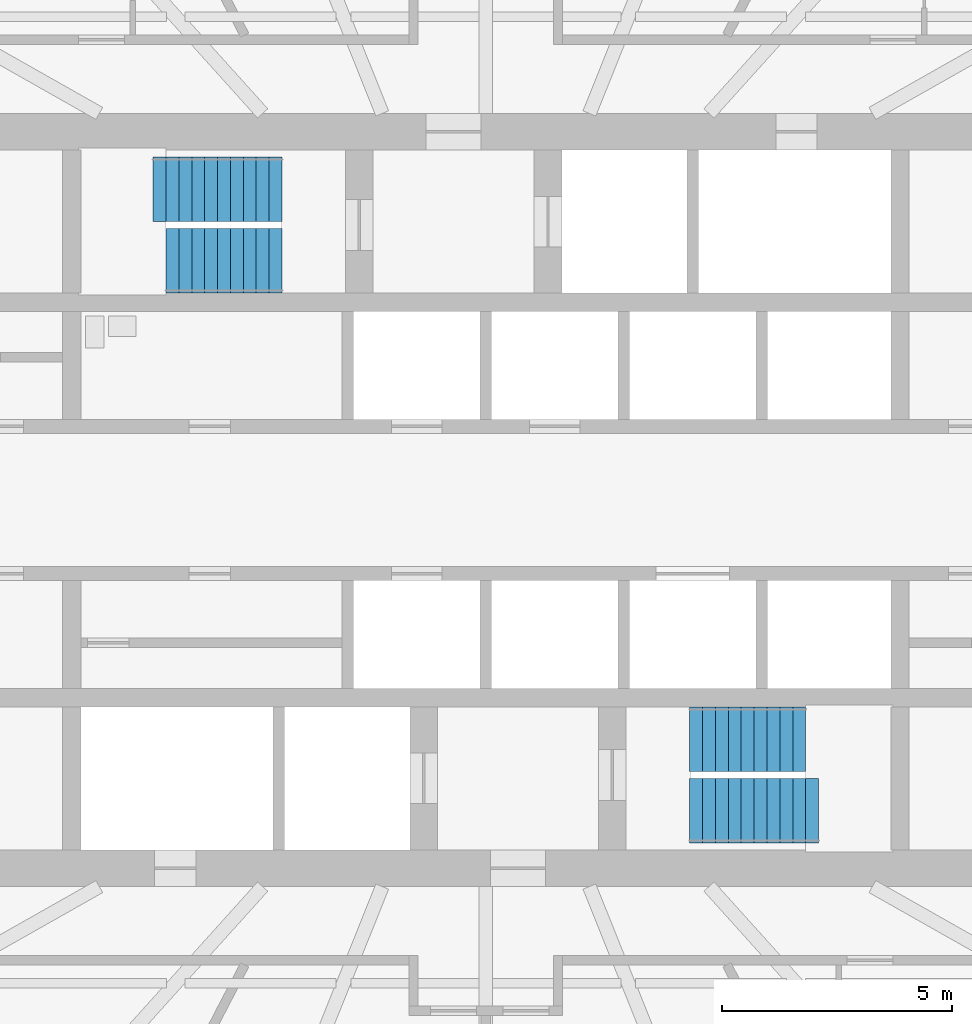
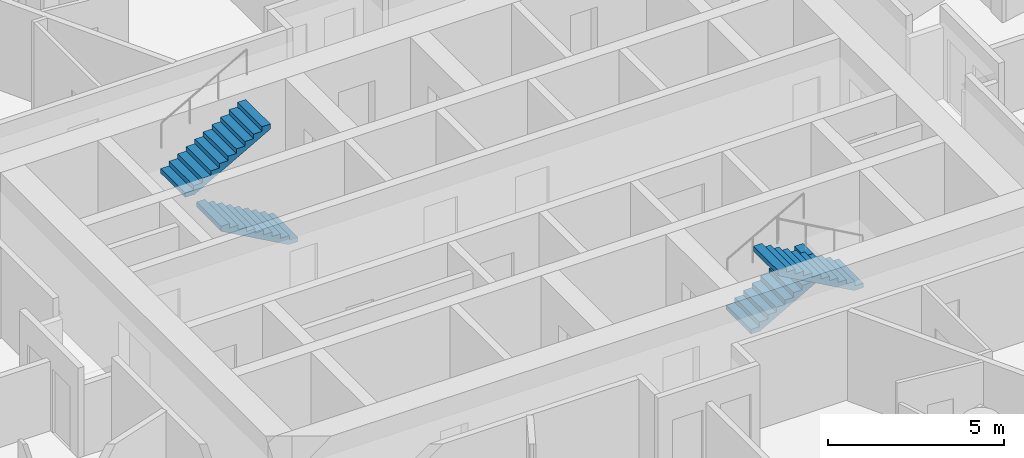
# One storey, part 14 of 16: 4 stair flights, 2 elements without a shape of their own.
"""IFC4 building model written with IfcOpenShell, lengths in metres."""

from ifc_helpers import new_model, si_unit, direction, frame, origin, place, context, subcontext, project, spatial, polyline, outline, extrude, material, type_object, element, aggregate, save


model = new_model("IFC4")

# Units and contexts
model_context = context("Model", 3, precision=1e-05, world=origin(), true_north=direction((0.0, 1.0)))
body_context = subcontext(model_context, "Body", "Model", "MODEL_VIEW")
ifc_project = project(units=[si_unit("LENGTHUNIT", "METRE"), si_unit("AREAUNIT", "SQUARE_METRE"), si_unit("VOLUMEUNIT", "CUBIC_METRE"), si_unit("PLANEANGLEUNIT", "RADIAN"), si_unit("MASSUNIT", "GRAM", prefix="KILO")], contexts=[model_context])

# Site, building, storey
site_placement = place(None, origin())
site = spatial("IfcSite", under=ifc_project, at=site_placement, CompositionType="ELEMENT")
building_placement = place(site_placement, origin())
building = spatial("IfcBuilding", under=site, at=building_placement, Name="Hankou Lantern Tower", CompositionType="ELEMENT")
storey_placement = place(building_placement, frame((0.0, 0.0, 150.0)))
storey = spatial("IfcBuildingStorey", under=building, at=storey_placement, Name="L39", CompositionType="ELEMENT", Elevation=150.0)

# Stair, stair flight
ifc_material_1 = material(Name="Concrete C40", Category="concrete")
stair_type = type_object("IfcStairType", Name="ST33 CORE STAIR 3300 RISE", PredefinedType="HALF_TURN_STAIR", material=ifc_material_1)
stair_1_placement = place(storey_placement, origin())
stair_1 = element("IfcStair", 1, at=stair_1_placement, inside=storey, type_object=stair_type, Name="Stair STA L39", PredefinedType="HALF_TURN_STAIR")
ifc_material_2 = material(Name="Concrete C40", Category="concrete")
stair_flight_type_1 = type_object("IfcStairFlightType", Name="CF10 CORE STAIR FLIGHT 1400 X 10 RISERS", PredefinedType="STRAIGHT", material=ifc_material_2)
stair_flight_1_placement = place(storey_placement, frame((-4.429931640625, 5.199951171875, 0.0), z_axis=(0.0, 0.0, 1.0), x_axis=(-1.0, 0.0, 0.0)))
stair_flight_1 = element("IfcStairFlight", 2, at=stair_flight_1_placement, type_object=stair_flight_type_1, Name="STA flight 1", NumberOfRisers=10, NumberOfTreads=9, PredefinedType="STRAIGHT", RiserHeight=0.157142857, TreadLength=0.28, context=body_context, shape_type="SweptSolid", body=[
    extrude(outline(polyline([(0.0, 0.0), (0.0, 0.1572265625), (0.280029296875, 0.1572265625), (0.280029296875, 0.314208984375), (0.56005859375, 0.314208984375), (0.56005859375, 0.471435546875), (0.840087890625, 0.471435546875), (0.840087890625, 0.628662109375), (1.1201171875, 0.628662109375), (1.1201171875, 0.78564453125), (1.39990234375, 0.78564453125), (1.39990234375, 0.94287109375), (1.679931640625, 0.94287109375), (1.679931640625, 1.10009765625), (1.9599609375, 1.10009765625), (1.9599609375, 1.257080078125), (2.239990234375, 1.257080078125), (2.239990234375, 1.414306640625), (2.52001953125, 1.414306640625), (2.52001953125, 1.571533203125), (2.52001953125, 1.242431640625), (0.306396484375, 0.0), (0.0, 0.0)])), frame((0.0, 0.699951171875, 0.0), z_axis=(0.0, -1.0, 0.0), x_axis=(1.0, 0.0, 0.0)), (0.0, 0.0, 1.0), 1.39990234375),
])

stair_2_placement = place(storey_placement, origin())
stair_2 = element("IfcStair", 3, at=stair_2_placement, inside=storey, type_object=stair_type, Name="Stair STB L39", PredefinedType="HALF_TURN_STAIR")
stair_flight_2_placement = place(storey_placement, frame((4.429931640625, -5.199951171875, 0.0), z_axis=(0.0, 0.0, 1.0), x_axis=(1.0, 0.0, 0.0)))
stair_flight_2 = element("IfcStairFlight", 4, at=stair_flight_2_placement, type_object=stair_flight_type_1, Name="STB flight 1", NumberOfRisers=10, NumberOfTreads=9, PredefinedType="STRAIGHT", RiserHeight=0.157142857, TreadLength=0.28, context=body_context, shape_type="SweptSolid", body=[
    extrude(outline(polyline([(0.0, 0.0), (0.0, 0.1572265625), (0.280029296875, 0.1572265625), (0.280029296875, 0.314208984375), (0.56005859375, 0.314208984375), (0.56005859375, 0.471435546875), (0.840087890625, 0.471435546875), (0.840087890625, 0.628662109375), (1.1201171875, 0.628662109375), (1.1201171875, 0.78564453125), (1.39990234375, 0.78564453125), (1.39990234375, 0.94287109375), (1.679931640625, 0.94287109375), (1.679931640625, 1.10009765625), (1.9599609375, 1.10009765625), (1.9599609375, 1.257080078125), (2.239990234375, 1.257080078125), (2.239990234375, 1.414306640625), (2.52001953125, 1.414306640625), (2.52001953125, 1.571533203125), (2.52001953125, 1.242431640625), (0.306396484375, 0.0), (0.0, 0.0)])), frame((0.0, 0.699951171875, 0.0), z_axis=(0.0, -1.0, 0.0), x_axis=(1.0, 0.0, 0.0)), (0.0, 0.0, 1.0), 1.39990234375),
])

# Stair flight
ifc_material_3 = material(Name="Concrete C40", Category="concrete")
stair_flight_type_2 = type_object("IfcStairFlightType", Name="CF11 CORE STAIR FLIGHT 1400 X 11 RISERS", PredefinedType="STRAIGHT", material=ifc_material_3)
stair_flight_3_placement = place(storey_placement, frame((-7.22998046875, 6.75, 1.571533203125), z_axis=(0.0, 0.0, 1.0), x_axis=(1.0, 0.0, 0.0)))
stair_flight_3 = element("IfcStairFlight", 5, at=stair_flight_3_placement, type_object=stair_flight_type_2, Name="STA flight 2", NumberOfRisers=11, NumberOfTreads=10, PredefinedType="STRAIGHT", RiserHeight=0.157142857, TreadLength=0.28, context=body_context, shape_type="SweptSolid", body=[
    extrude(outline(polyline([(0.0, 0.0), (0.0, 0.1572265625), (0.280029296875, 0.1572265625), (0.280029296875, 0.314208984375), (0.56005859375, 0.314208984375), (0.56005859375, 0.471435546875), (0.840087890625, 0.471435546875), (0.840087890625, 0.628662109375), (1.1201171875, 0.628662109375), (1.1201171875, 0.78564453125), (1.39990234375, 0.78564453125), (1.39990234375, 0.94287109375), (1.679931640625, 0.94287109375), (1.679931640625, 1.10009765625), (1.9599609375, 1.10009765625), (1.9599609375, 1.257080078125), (2.239990234375, 1.257080078125), (2.239990234375, 1.414306640625), (2.52001953125, 1.414306640625), (2.52001953125, 1.571533203125), (2.800048828125, 1.571533203125), (2.800048828125, 1.728515625), (2.800048828125, 1.3994140625), (0.306396484375, 0.0), (0.0, 0.0)])), frame((0.0, 0.699951171875, 0.0), z_axis=(0.0, -1.0, 0.0), x_axis=(1.0, 0.0, 0.0)), (0.0, 0.0, 1.0), 1.39990234375),
])

aggregate(stair_1, [stair_flight_1, stair_flight_3])

stair_flight_4_placement = place(storey_placement, frame((7.22998046875, -6.75, 1.571533203125), z_axis=(0.0, 0.0, 1.0), x_axis=(-1.0, 0.0, 0.0)))
stair_flight_4 = element("IfcStairFlight", 6, at=stair_flight_4_placement, type_object=stair_flight_type_2, Name="STB flight 2", NumberOfRisers=11, NumberOfTreads=10, PredefinedType="STRAIGHT", RiserHeight=0.157142857, TreadLength=0.28, context=body_context, shape_type="SweptSolid", body=[
    extrude(outline(polyline([(0.0, 0.0), (0.0, 0.1572265625), (0.280029296875, 0.1572265625), (0.280029296875, 0.314208984375), (0.56005859375, 0.314208984375), (0.56005859375, 0.471435546875), (0.840087890625, 0.471435546875), (0.840087890625, 0.628662109375), (1.1201171875, 0.628662109375), (1.1201171875, 0.78564453125), (1.39990234375, 0.78564453125), (1.39990234375, 0.94287109375), (1.679931640625, 0.94287109375), (1.679931640625, 1.10009765625), (1.9599609375, 1.10009765625), (1.9599609375, 1.257080078125), (2.239990234375, 1.257080078125), (2.239990234375, 1.414306640625), (2.52001953125, 1.414306640625), (2.52001953125, 1.571533203125), (2.800048828125, 1.571533203125), (2.800048828125, 1.728515625), (2.800048828125, 1.3994140625), (0.306396484375, 0.0), (0.0, 0.0)])), frame((0.0, 0.699951171875, 0.0), z_axis=(0.0, -1.0, 0.0), x_axis=(1.0, 0.0, 0.0)), (0.0, 0.0, 1.0), 1.39990234375),
])

aggregate(stair_2, [stair_flight_2, stair_flight_4])

save(model, "model.ifc")
